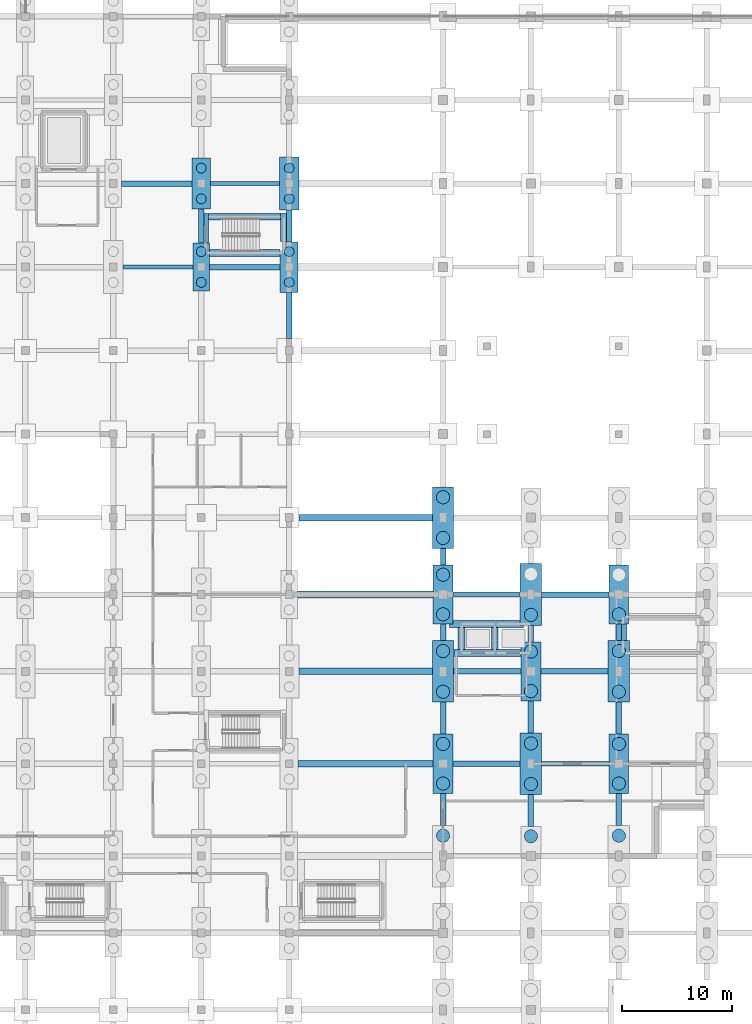
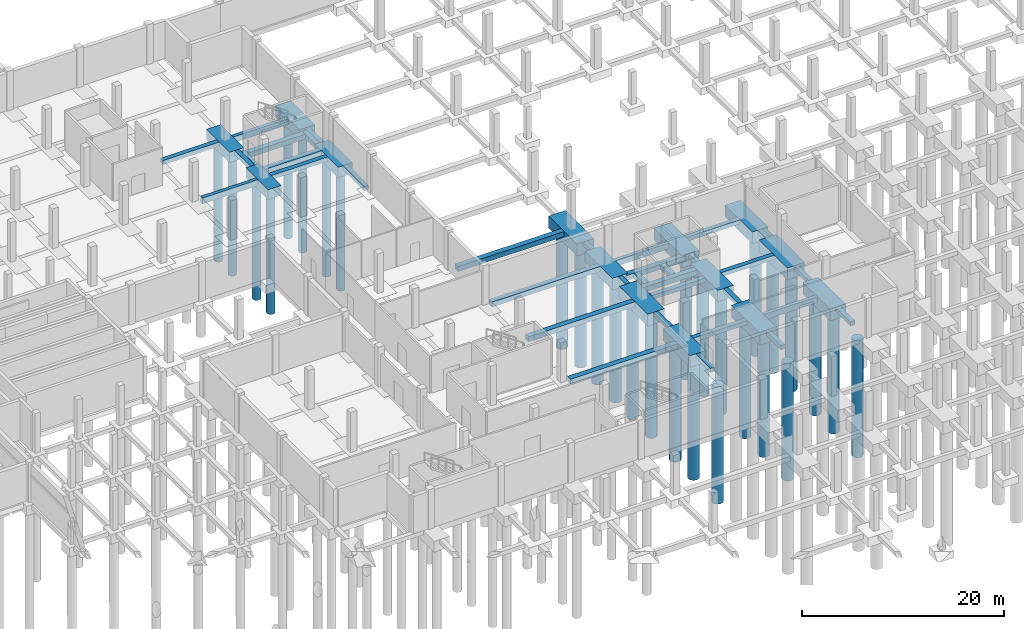
# One storey, part 14 of 50: 50 footings, 29 piles.
"""IFC4 building model written with IfcOpenShell, lengths in metres."""

from ifc_helpers import new_model, si_unit, direction, frame, origin, origin_2d, place, context, subcontext, project, spatial, polyline, rectangle, circle, outline, extrude, material, material_profile, profile_set, type_object, element, save


model = new_model("IFC4")

# Units and contexts
model_context = context("Model", 3, precision=1e-05, world=origin(), true_north=direction((0.0, 1.0)))
body_context = subcontext(model_context, "Body", "Model", "MODEL_VIEW")
ifc_project = project(units=[si_unit("LENGTHUNIT", "METRE"), si_unit("AREAUNIT", "SQUARE_METRE"), si_unit("VOLUMEUNIT", "CUBIC_METRE"), si_unit("PLANEANGLEUNIT", "RADIAN"), si_unit("MASSUNIT", "GRAM", prefix="KILO")], contexts=[model_context])

# Site, building, storey
site_placement = place(None, origin())
site = spatial("IfcSite", under=ifc_project, at=site_placement, CompositionType="ELEMENT")
building_placement = place(site_placement, origin())
building = spatial("IfcBuilding", under=site, at=building_placement, Name="Vekula Escarpment Museum", CompositionType="ELEMENT")
storey_placement = place(building_placement, frame((0.0, 0.0, -4.800048828125)))
storey = spatial("IfcBuildingStorey", under=building, at=storey_placement, Name="B1", CompositionType="ELEMENT", Elevation=-4.800048828125)

# Footings
ifc_material_1 = material(Name="Concrete C35/45", Category="concrete")
footing_type_1 = type_object("IfcFootingType", Name="FB-STRIP-600", PredefinedType="STRIP_FOOTING", material=ifc_material_1)
footing_1_placement = place(storey_placement, frame((0.0, 0.0, -0.599853515625)))
element("IfcFooting", 1, at=footing_1_placement, inside=storey, type_object=footing_type_1, Name="Stair Core Strip Footing ST-03 W", PredefinedType="STRIP_FOOTING", context=body_context, shape_type="SweptSolid", body=[
    extrude(outline(polyline([(48.675048828125, 118.0849609375), (48.675048828125, 115.404052734375), (48.25390625, 115.404052734375), (48.25390625, 118.0849609375), (48.675048828125, 118.0849609375)])), origin(), (0.0, 0.0, 1.0), 0.599853515625),
])
footing_2_placement = place(storey_placement, frame((0.0, 0.0, -0.599853515625)))
element("IfcFooting", 2, at=footing_2_placement, inside=storey, type_object=footing_type_1, Name="Stair Core Strip Footing ST-03 E", PredefinedType="STRIP_FOOTING", context=body_context, shape_type="SweptSolid", body=[
    extrude(outline(polyline([(55.22509765625, 118.0849609375), (55.74609375, 118.0849609375), (55.74609375, 115.50390625), (55.22509765625, 115.50390625), (55.22509765625, 118.0849609375)])), origin(), (0.0, 0.0, 1.0), 0.599853515625),
])
footing_3_placement = place(storey_placement, frame((0.0, 0.0, -0.599853515625)))
element("IfcFooting", 3, at=footing_3_placement, inside=storey, type_object=footing_type_1, Name="Stair Core Strip Footing ST-03 S", PredefinedType="STRIP_FOOTING", context=body_context, shape_type="SweptSolid", body=[
    extrude(outline(polyline([(48.75390625, 114.175048828125), (48.75390625, 114.77490234375), (55.1708984375, 114.77490234375), (55.1708984375, 114.175048828125), (48.75390625, 114.175048828125)])), origin(), (0.0, 0.0, 1.0), 0.599853515625),
])
footing_4_placement = place(storey_placement, frame((0.0, 0.0, -0.599853515625)))
element("IfcFooting", 4, at=footing_4_placement, inside=storey, type_object=footing_type_1, Name="Stair Core Strip Footing ST-03 N", PredefinedType="STRIP_FOOTING", context=body_context, shape_type="SweptSolid", body=[
    extrude(outline(polyline([(48.678955078125, 117.465087890625), (48.678955078125, 118.06494140625), (55.220947265625, 118.06494140625), (55.220947265625, 117.465087890625), (48.678955078125, 117.465087890625)])), origin(), (0.0, 0.0, 1.0), 0.599853515625),
])
footing_5_placement = place(storey_placement, frame((0.0, 0.0, -0.599853515625)))
element("IfcFooting", 5, at=footing_5_placement, inside=storey, type_object=footing_type_1, Name="Stair Core Strip Footing ST-09 W", PredefinedType="STRIP_FOOTING", context=body_context, shape_type="SweptSolid", body=[
    extrude(outline(polyline([(86.675048828125, 79.2041015625), (86.25390625, 79.2041015625), (86.25390625, 80.696044921875), (86.675048828125, 80.696044921875), (86.675048828125, 79.2041015625)])), origin(), (0.0, 0.0, 1.0), 0.599853515625),
])
footing_6_placement = place(storey_placement, frame((0.0, 0.0, -0.599853515625)))
element("IfcFooting", 6, at=footing_6_placement, inside=storey, type_object=footing_type_1, Name="Lift Shaft Strip Footing LP-01 S", PredefinedType="STRIP_FOOTING", context=body_context, shape_type="SweptSolid", body=[
    extrude(outline(polyline([(70.97900390625, 77.780029296875), (70.97900390625, 78.3798828125), (77.095947265625, 78.3798828125), (77.095947265625, 77.780029296875), (70.97900390625, 77.780029296875)])), origin(), (0.0, 0.0, 1.0), 0.599853515625),
])
footing_7_placement = place(storey_placement, frame((0.0, 0.0, -0.599853515625)))
element("IfcFooting", 7, at=footing_7_placement, inside=storey, type_object=footing_type_1, Name="Lift Shaft Strip Footing LP-01 N", PredefinedType="STRIP_FOOTING", context=body_context, shape_type="SweptSolid", body=[
    extrude(outline(polyline([(77.341064453125, 80.419921875), (70.583984375, 80.419921875), (70.583984375, 80.696044921875), (70.904052734375, 80.696044921875), (70.904052734375, 81.02001953125), (77.02099609375, 81.02001953125), (77.02099609375, 80.595947265625), (77.341064453125, 80.595947265625), (77.341064453125, 80.419921875)])), origin(), (0.0, 0.0, 1.0), 0.599853515625),
])
footing_8_placement = place(storey_placement, frame((0.0, 0.0, -0.599853515625)))
element("IfcFooting", 8, at=footing_8_placement, inside=storey, type_object=footing_type_1, Name="Lift Shaft Strip Footing LP-01 W", PredefinedType="STRIP_FOOTING", context=body_context, shape_type="SweptSolid", body=[
    extrude(outline(polyline([(71.97998046875, 78.384033203125), (71.3798828125, 78.384033203125), (71.3798828125, 80.416015625), (71.97998046875, 80.416015625), (71.97998046875, 78.384033203125)])), origin(), (0.0, 0.0, 1.0), 0.599853515625),
])
footing_9_placement = place(storey_placement, frame((0.0, 0.0, -0.599853515625)))
element("IfcFooting", 9, at=footing_9_placement, inside=storey, type_object=footing_type_1, Name="Lift Shaft Strip Footing LP-01 E", PredefinedType="STRIP_FOOTING", context=body_context, shape_type="SweptSolid", body=[
    extrude(outline(polyline([(75.02001953125, 78.384033203125), (74.419921875, 78.384033203125), (74.419921875, 80.416015625), (75.02001953125, 80.416015625), (75.02001953125, 78.384033203125)])), origin(), (0.0, 0.0, 1.0), 0.599853515625),
])
ifc_material_2 = material(Name="Concrete C35/45", Category="concrete")
ifc_material_profile_1 = material_profile(ifc_material_2, rectangle(XDim=0.39990234375, YDim=0.699951171875, at=origin_2d()), Name="RC 400x700")
ifc_profile_set_1 = profile_set([ifc_material_profile_1], Name="Concrete C35/45")
footing_type_2 = type_object("IfcFootingType", Name="FB-TIE-400x700", PredefinedType="FOOTING_BEAM", material=ifc_profile_set_1)
for number, where, z_axis, x_axis, name in (
    (10, (78.97509765625, 68.0, -0.349853515625), (1.0, 0.0, 0.0), (0.0, 1.0, 0.0), "Foundation Tie Beam 198"),
    (11, (70.89990234375, 83.39990234375, -0.349853515625), (1.0, 0.0, 0.0), (0.0, 1.0, 0.0), "Foundation Tie Beam 243"),
):
    element("IfcFooting", number, at=place(storey_placement, frame(where, z_axis=z_axis, x_axis=x_axis)), inside=storey, type_object=footing_type_2, Name=name, PredefinedType="FOOTING_BEAM", context=body_context, shape_type="SweptSolid", body=[
        extrude(rectangle(XDim=0.39990234375, YDim=0.699951171875, at=origin_2d()), origin(), (0.0, 0.0, 1.0), 6.125),
    ])
footing_10_placement = place(storey_placement, frame((40.875, 113.199951171875, -0.349853515625), z_axis=(1.0, 0.0, 0.0), x_axis=(0.0, 1.0, 0.0)))
element("IfcFooting", 12, at=footing_10_placement, inside=storey, type_object=footing_type_2, Name="Foundation Tie Beam 318", PredefinedType="FOOTING_BEAM", context=body_context, shape_type="SweptSolid", body=[
    extrude(rectangle(XDim=0.39990234375, YDim=0.699951171875, at=origin_2d()), origin(), (0.0, 0.0, 1.0), 6.375),
])
footing_11_placement = place(storey_placement, frame((48.824951171875, 120.800048828125, -0.349853515625), z_axis=(1.0, 0.0, 0.0), x_axis=(0.0, 1.0, 0.0)))
element("IfcFooting", 13, at=footing_11_placement, inside=storey, type_object=footing_type_2, Name="Foundation Tie Beam 342", PredefinedType="FOOTING_BEAM", context=body_context, shape_type="SweptSolid", body=[
    extrude(rectangle(XDim=0.39990234375, YDim=0.699951171875, at=origin_2d()), origin(), (0.0, 0.0, 1.0), 6.300048828125),
])
ifc_material_3 = material(Name="Concrete C35/45", Category="concrete")
ifc_material_profile_2 = material_profile(ifc_material_3, rectangle(XDim=0.5, YDim=0.5, at=origin_2d()), Name="RC 500x500")
ifc_profile_set_2 = profile_set([ifc_material_profile_2], Name="Concrete C35/45")
footing_type_3 = type_object("IfcFootingType", Name="FB-TIE-500x500", PredefinedType="FOOTING_BEAM", material=ifc_profile_set_2)
for number, where, z_axis, x_axis, name in (
    (14, (70.89990234375, 68.0, -0.25), (1.0, 0.0, 0.0), (0.0, 1.0, 0.0), "Foundation Tie Beam 197"),
    (15, (70.97509765625, 76.39990234375, -0.25), (1.0, 0.0, 0.0), (0.0, 1.0, 0.0), "Foundation Tie Beam 220"),
    (16, (78.89990234375, 76.39990234375, -0.25), (1.0, 0.0, 0.0), (0.0, 1.0, 0.0), "Foundation Tie Beam 221"),
    (17, (78.97509765625, 83.39990234375, -0.25), (1.0, 0.0, 0.0), (0.0, 1.0, 0.0), "Foundation Tie Beam 244"),
):
    element("IfcFooting", number, at=place(storey_placement, frame(where, z_axis=z_axis, x_axis=x_axis)), inside=storey, type_object=footing_type_3, Name=name, PredefinedType="FOOTING_BEAM", context=body_context, shape_type="SweptSolid", body=[
        extrude(rectangle(XDim=0.5, YDim=0.5, at=origin_2d()), origin(), (0.0, 0.0, 1.0), 6.125),
    ])
for number, where, z_axis, x_axis, name in (
    (18, (48.75, 113.199951171875, -0.25), (1.0, 0.0, 0.0), (0.0, 1.0, 0.0), "Foundation Tie Beam 319"),
    (19, (40.75, 120.800048828125, -0.25), (1.0, 0.0, 0.0), (0.0, 1.0, 0.0), "Foundation Tie Beam 341"),
):
    element("IfcFooting", number, at=place(storey_placement, frame(where, z_axis=z_axis, x_axis=x_axis)), inside=storey, type_object=footing_type_3, Name=name, PredefinedType="FOOTING_BEAM", context=body_context, shape_type="SweptSolid", body=[
        extrude(rectangle(XDim=0.5, YDim=0.5, at=origin_2d()), origin(), (0.0, 0.0, 1.0), 6.425048828125),
    ])
footing_12_placement = place(storey_placement, frame((48.0, 115.39990234375, -0.25), z_axis=(0.0, 1.0, 0.0), x_axis=(-1.0, 0.0, 0.0)))
element("IfcFooting", 20, at=footing_12_placement, inside=storey, type_object=footing_type_3, Name="Foundation Tie Beam 529", PredefinedType="FOOTING_BEAM", context=body_context, shape_type="SweptSolid", body=[
    extrude(rectangle(XDim=0.5, YDim=0.5, at=origin_2d()), origin(), (0.0, 0.0, 1.0), 3.10009765625),
])
footing_13_placement = place(storey_placement, frame((56.0, 106.699951171875, -0.25), z_axis=(0.0, 1.0, 0.0), x_axis=(-1.0, 0.0, 0.0)))
element("IfcFooting", 21, at=footing_13_placement, inside=storey, type_object=footing_type_3, Name="Foundation Tie Beam 546", PredefinedType="FOOTING_BEAM", context=body_context, shape_type="SweptSolid", body=[
    extrude(rectangle(XDim=0.5, YDim=0.5, at=origin_2d()), origin(), (0.0, 0.0, 1.0), 4.199951171875),
])
footing_14_placement = place(storey_placement, frame((56.0, 115.5, -0.25), z_axis=(0.0, 1.0, 0.0), x_axis=(-1.0, 0.0, 0.0)))
element("IfcFooting", 22, at=footing_14_placement, inside=storey, type_object=footing_type_3, Name="Foundation Tie Beam 547", PredefinedType="FOOTING_BEAM", context=body_context, shape_type="SweptSolid", body=[
    extrude(rectangle(XDim=0.5, YDim=0.5, at=origin_2d()), origin(), (0.0, 0.0, 1.0), 2.89990234375),
])
for number, where, z_axis, x_axis, name in (
    (23, (70.0, 62.39990234375, -0.25), (0.0, 1.0, 0.0), (-1.0, 0.0, 0.0), "Foundation Tie Beam 558"),
    (24, (70.0, 70.699951171875, -0.25), (0.0, 1.0, 0.0), (-1.0, 0.0, 0.0), "Foundation Tie Beam 559"),
):
    element("IfcFooting", number, at=place(storey_placement, frame(where, z_axis=z_axis, x_axis=x_axis)), inside=storey, type_object=footing_type_3, Name=name, PredefinedType="FOOTING_BEAM", context=body_context, shape_type="SweptSolid", body=[
        extrude(rectangle(XDim=0.5, YDim=0.5, at=origin_2d()), origin(), (0.0, 0.0, 1.0), 2.900146484375),
    ])
for number, where, z_axis, x_axis, name in (
    (25, (70.0, 79.199951171875, -0.25), (0.0, 1.0, 0.0), (-1.0, 0.0, 0.0), "Foundation Tie Beam 560"),
    (26, (70.0, 86.10009765625, -0.25), (0.0, 1.0, 0.0), (-1.0, 0.0, 0.0), "Foundation Tie Beam 561"),
):
    element("IfcFooting", number, at=place(storey_placement, frame(where, z_axis=z_axis, x_axis=x_axis)), inside=storey, type_object=footing_type_3, Name=name, PredefinedType="FOOTING_BEAM", context=body_context, shape_type="SweptSolid", body=[
        extrude(rectangle(XDim=0.5, YDim=0.5, at=origin_2d()), origin(), (0.0, 0.0, 1.0), 1.5),
    ])
for number, where, z_axis, x_axis, name in (
    (27, (78.0, 62.300048828125, -0.25), (0.0, 1.0, 0.0), (-1.0, 0.0, 0.0), "Foundation Tie Beam 573"),
    (28, (78.0, 70.800048828125, -0.25), (0.0, 1.0, 0.0), (-1.0, 0.0, 0.0), "Foundation Tie Beam 574"),
):
    element("IfcFooting", number, at=place(storey_placement, frame(where, z_axis=z_axis, x_axis=x_axis)), inside=storey, type_object=footing_type_3, Name=name, PredefinedType="FOOTING_BEAM", context=body_context, shape_type="SweptSolid", body=[
        extrude(rectangle(XDim=0.5, YDim=0.5, at=origin_2d()), origin(), (0.0, 0.0, 1.0), 2.89990234375),
    ])
footing_15_placement = place(storey_placement, frame((78.0, 79.10009765625, -0.25), z_axis=(0.0, 1.0, 0.0), x_axis=(-1.0, 0.0, 0.0)))
element("IfcFooting", 29, at=footing_15_placement, inside=storey, type_object=footing_type_3, Name="Foundation Tie Beam 575", PredefinedType="FOOTING_BEAM", context=body_context, shape_type="SweptSolid", body=[
    extrude(rectangle(XDim=0.5, YDim=0.5, at=origin_2d()), origin(), (0.0, 0.0, 1.0), 1.5),
])
for number, where, z_axis, x_axis, name in (
    (30, (86.0, 62.39990234375, -0.25), (0.0, 1.0, 0.0), (-1.0, 0.0, 0.0), "Foundation Tie Beam 585"),
    (31, (86.0, 70.699951171875, -0.25), (0.0, 1.0, 0.0), (-1.0, 0.0, 0.0), "Foundation Tie Beam 586"),
):
    element("IfcFooting", number, at=place(storey_placement, frame(where, z_axis=z_axis, x_axis=x_axis)), inside=storey, type_object=footing_type_3, Name=name, PredefinedType="FOOTING_BEAM", context=body_context, shape_type="SweptSolid", body=[
        extrude(rectangle(XDim=0.5, YDim=0.5, at=origin_2d()), origin(), (0.0, 0.0, 1.0), 2.900146484375),
    ])
footing_16_placement = place(storey_placement, frame((86.0, 79.199951171875, -0.25), z_axis=(0.0, 1.0, 0.0), x_axis=(-1.0, 0.0, 0.0)))
element("IfcFooting", 32, at=footing_16_placement, inside=storey, type_object=footing_type_3, Name="Foundation Tie Beam 587", PredefinedType="FOOTING_BEAM", context=body_context, shape_type="SweptSolid", body=[
    extrude(rectangle(XDim=0.5, YDim=0.5, at=origin_2d()), origin(), (0.0, 0.0, 1.0), 1.5),
])
ifc_material_4 = material(Name="Concrete C35/45", Category="concrete")
ifc_material_profile_3 = material_profile(ifc_material_4, rectangle(XDim=0.60009765625, YDim=0.60009765625, at=origin_2d()), Name="RC 600x600")
ifc_profile_set_3 = profile_set([ifc_material_profile_3], Name="Concrete C35/45")
footing_type_4 = type_object("IfcFootingType", Name="FB-TIE-600x600", PredefinedType="FOOTING_BEAM", material=ifc_profile_set_3)
footing_17_placement = place(storey_placement, frame((56.824951171875, 68.0, -0.300048828125), z_axis=(1.0, 0.0, 0.0), x_axis=(0.0, 1.0, 0.0)))
element("IfcFooting", 33, at=footing_17_placement, inside=storey, type_object=footing_type_4, Name="Foundation Tie Beam 196", PredefinedType="FOOTING_BEAM", context=body_context, shape_type="SweptSolid", body=[
    extrude(rectangle(XDim=0.60009765625, YDim=0.60009765625, at=origin_2d()), origin(), (0.0, 0.0, 1.0), 12.275146484375),
])
footing_18_placement = place(storey_placement, frame((56.875, 76.39990234375, -0.300048828125), z_axis=(1.0, 0.0, 0.0), x_axis=(0.0, 1.0, 0.0)))
element("IfcFooting", 34, at=footing_18_placement, inside=storey, type_object=footing_type_4, Name="Foundation Tie Beam 219", PredefinedType="FOOTING_BEAM", context=body_context, shape_type="SweptSolid", body=[
    extrude(rectangle(XDim=0.60009765625, YDim=0.60009765625, at=origin_2d()), origin(), (0.0, 0.0, 1.0), 12.14990234375),
])
footing_19_placement = place(storey_placement, frame((56.75, 83.39990234375, -0.300048828125), z_axis=(1.0, 0.0, 0.0), x_axis=(0.0, 1.0, 0.0)))
element("IfcFooting", 35, at=footing_19_placement, inside=storey, type_object=footing_type_4, Name="Foundation Tie Beam 242", PredefinedType="FOOTING_BEAM", context=body_context, shape_type="SweptSolid", body=[
    extrude(rectangle(XDim=0.60009765625, YDim=0.60009765625, at=origin_2d()), origin(), (0.0, 0.0, 1.0), 12.35009765625),
])
footing_20_placement = place(storey_placement, frame((56.89990234375, 90.39990234375, -0.300048828125), z_axis=(1.0, 0.0, 0.0), x_axis=(0.0, 1.0, 0.0)))
element("IfcFooting", 36, at=footing_20_placement, inside=storey, type_object=footing_type_4, Name="Foundation Tie Beam 261", PredefinedType="FOOTING_BEAM", context=body_context, shape_type="SweptSolid", body=[
    extrude(rectangle(XDim=0.60009765625, YDim=0.60009765625, at=origin_2d()), origin(), (0.0, 0.0, 1.0), 12.125),
])
ifc_material_5 = material(Name="Concrete C35/45", Category="concrete")
footing_type_5 = type_object("IfcFootingType", Name="FC-PC2Y-A", PredefinedType="PILE_CAP", material=ifc_material_5)
footing_21_placement = place(storey_placement, frame((0.0, 0.0, -1.199951171875)))
element("IfcFooting", 37, at=footing_21_placement, inside=storey, type_object=footing_type_5, Name="Foundation FC-PC2Y-A (48.0,113.2)", PredefinedType="PILE_CAP", context=body_context, shape_type="SweptSolid", body=[
    extrude(outline(polyline([(47.25, 111.0), (48.75, 111.0), (48.75, 115.39990234375), (47.25, 115.39990234375), (47.25, 111.0)])), origin(), (0.0, 0.0, 1.0), 1.199951171875),
])
ifc_material_6 = material(Name="Concrete C35/45", Category="concrete")
footing_type_6 = type_object("IfcFootingType", Name="FC-PC2Y-B", PredefinedType="PILE_CAP", material=ifc_material_6)
footing_22_placement = place(storey_placement, frame((0.0, 0.0, -1.25)))
element("IfcFooting", 38, at=footing_22_placement, inside=storey, type_object=footing_type_6, Name="Foundation FC-PC2Y-B (48.0,120.8)", PredefinedType="PILE_CAP", context=body_context, shape_type="SweptSolid", body=[
    extrude(outline(polyline([(47.175048828125, 118.5), (48.824951171875, 118.5), (48.824951171875, 123.10009765625), (47.175048828125, 123.10009765625), (47.175048828125, 118.5)])), origin(), (0.0, 0.0, 1.0), 1.25),
])
footing_23_placement = place(storey_placement, frame((0.0, 0.0, -1.25)))
element("IfcFooting", 39, at=footing_23_placement, inside=storey, type_object=footing_type_6, Name="Foundation FC-PC2Y-B (56.0,113.2)", PredefinedType="PILE_CAP", context=body_context, shape_type="SweptSolid", body=[
    extrude(outline(polyline([(55.175048828125, 110.89990234375), (56.824951171875, 110.89990234375), (56.824951171875, 115.5), (55.175048828125, 115.5), (55.175048828125, 110.89990234375)])), origin(), (0.0, 0.0, 1.0), 1.25),
])
ifc_material_7 = material(Name="Concrete C35/45", Category="concrete")
footing_type_7 = type_object("IfcFootingType", Name="FC-PC2Y-C", PredefinedType="PILE_CAP", material=ifc_material_7)
footing_24_placement = place(storey_placement, frame((0.0, 0.0, -1.300048828125)))
element("IfcFooting", 40, at=footing_24_placement, inside=storey, type_object=footing_type_7, Name="Foundation FC-PC2Y-C (56.0,120.8)", PredefinedType="PILE_CAP", context=body_context, shape_type="SweptSolid", body=[
    extrude(outline(polyline([(55.125, 118.39990234375), (56.875, 118.39990234375), (56.875, 123.199951171875), (55.125, 123.199951171875), (55.125, 118.39990234375)])), origin(), (0.0, 0.0, 1.0), 1.300048828125),
])
ifc_material_8 = material(Name="Concrete C35/45", Category="concrete")
footing_type_8 = type_object("IfcFootingType", Name="FC-PC2Y-HA", PredefinedType="PILE_CAP", material=ifc_material_8)
footing_25_placement = place(storey_placement, frame((0.0, 0.0, -1.39990234375)))
element("IfcFooting", 41, at=footing_25_placement, inside=storey, type_object=footing_type_8, Name="Foundation FC-PC2Y-HA (70.0,68.0)", PredefinedType="PILE_CAP", context=body_context, shape_type="SweptSolid", body=[
    extrude(outline(polyline([(69.10009765625, 65.300048828125), (70.89990234375, 65.300048828125), (70.89990234375, 70.699951171875), (69.10009765625, 70.699951171875), (69.10009765625, 65.300048828125)])), origin(), (0.0, 0.0, 1.0), 1.39990234375),
])
footing_26_placement = place(storey_placement, frame((0.0, 0.0, -1.39990234375)))
element("IfcFooting", 42, at=footing_26_placement, inside=storey, type_object=footing_type_8, Name="Foundation FC-PC2Y-HA (70.0,83.4)", PredefinedType="PILE_CAP", context=body_context, shape_type="SweptSolid", body=[
    extrude(outline(polyline([(69.10009765625, 80.699951171875), (70.89990234375, 80.699951171875), (70.89990234375, 86.10009765625), (69.10009765625, 86.10009765625), (69.10009765625, 80.699951171875)])), origin(), (0.0, 0.0, 1.0), 1.39990234375),
])
footing_27_placement = place(storey_placement, frame((0.0, 0.0, -1.39990234375)))
element("IfcFooting", 43, at=footing_27_placement, inside=storey, type_object=footing_type_8, Name="Foundation FC-PC2Y-HA (78.0,76.4)", PredefinedType="PILE_CAP", context=body_context, shape_type="SweptSolid", body=[
    extrude(outline(polyline([(77.10009765625, 73.699951171875), (78.89990234375, 73.699951171875), (78.89990234375, 79.10009765625), (77.10009765625, 79.10009765625), (77.10009765625, 73.699951171875)])), origin(), (0.0, 0.0, 1.0), 1.39990234375),
])
footing_28_placement = place(storey_placement, frame((0.0, 0.0, -1.39990234375)))
element("IfcFooting", 44, at=footing_28_placement, inside=storey, type_object=footing_type_8, Name="Foundation FC-PC2Y-HA (86.0,68.0)", PredefinedType="PILE_CAP", context=body_context, shape_type="SweptSolid", body=[
    extrude(outline(polyline([(85.10009765625, 65.300048828125), (86.89990234375, 65.300048828125), (86.89990234375, 70.699951171875), (85.10009765625, 70.699951171875), (85.10009765625, 65.300048828125)])), origin(), (0.0, 0.0, 1.0), 1.39990234375),
])
footing_29_placement = place(storey_placement, frame((0.0, 0.0, -1.39990234375)))
element("IfcFooting", 45, at=footing_29_placement, inside=storey, type_object=footing_type_8, Name="Foundation FC-PC2Y-HA (86.0,83.4)", PredefinedType="PILE_CAP", context=body_context, shape_type="SweptSolid", body=[
    extrude(outline(polyline([(85.10009765625, 80.699951171875), (86.89990234375, 80.699951171875), (86.89990234375, 86.10009765625), (85.10009765625, 86.10009765625), (85.10009765625, 80.699951171875)])), origin(), (0.0, 0.0, 1.0), 1.39990234375),
])
ifc_material_9 = material(Name="Concrete C35/45", Category="concrete")
footing_type_9 = type_object("IfcFootingType", Name="FC-PC2Y-HB", PredefinedType="PILE_CAP", material=ifc_material_9)
footing_30_placement = place(storey_placement, frame((0.0, 0.0, -1.449951171875)))
element("IfcFooting", 46, at=footing_30_placement, inside=storey, type_object=footing_type_9, Name="Foundation FC-PC2Y-HB (70.0,76.4)", PredefinedType="PILE_CAP", context=body_context, shape_type="SweptSolid", body=[
    extrude(outline(polyline([(69.02490234375, 73.60009765625), (70.97509765625, 73.60009765625), (70.97509765625, 79.199951171875), (69.02490234375, 79.199951171875), (69.02490234375, 73.60009765625)])), origin(), (0.0, 0.0, 1.0), 1.449951171875),
])
footing_31_placement = place(storey_placement, frame((0.0, 0.0, -1.449951171875)))
element("IfcFooting", 47, at=footing_31_placement, inside=storey, type_object=footing_type_9, Name="Foundation FC-PC2Y-HB (70.0,90.4)", PredefinedType="PILE_CAP", context=body_context, shape_type="SweptSolid", body=[
    extrude(outline(polyline([(69.02490234375, 87.60009765625), (70.97509765625, 87.60009765625), (70.97509765625, 93.199951171875), (69.02490234375, 93.199951171875), (69.02490234375, 87.60009765625)])), origin(), (0.0, 0.0, 1.0), 1.449951171875),
])
footing_32_placement = place(storey_placement, frame((0.0, 0.0, -1.449951171875)))
element("IfcFooting", 48, at=footing_32_placement, inside=storey, type_object=footing_type_9, Name="Foundation FC-PC2Y-HB (78.0,68.0)", PredefinedType="PILE_CAP", context=body_context, shape_type="SweptSolid", body=[
    extrude(outline(polyline([(77.02490234375, 65.199951171875), (78.97509765625, 65.199951171875), (78.97509765625, 70.800048828125), (77.02490234375, 70.800048828125), (77.02490234375, 65.199951171875)])), origin(), (0.0, 0.0, 1.0), 1.449951171875),
])
footing_33_placement = place(storey_placement, frame((0.0, 0.0, -1.449951171875)))
element("IfcFooting", 49, at=footing_33_placement, inside=storey, type_object=footing_type_9, Name="Foundation FC-PC2Y-HB (78.0,83.4)", PredefinedType="PILE_CAP", context=body_context, shape_type="SweptSolid", body=[
    extrude(outline(polyline([(77.02490234375, 80.60009765625), (78.97509765625, 80.60009765625), (78.97509765625, 86.199951171875), (77.02490234375, 86.199951171875), (77.02490234375, 80.60009765625)])), origin(), (0.0, 0.0, 1.0), 1.449951171875),
])
footing_34_placement = place(storey_placement, frame((0.0, 0.0, -1.449951171875)))
element("IfcFooting", 50, at=footing_34_placement, inside=storey, type_object=footing_type_9, Name="Foundation FC-PC2Y-HB (86.0,76.4)", PredefinedType="PILE_CAP", context=body_context, shape_type="SweptSolid", body=[
    extrude(outline(polyline([(85.02490234375, 73.60009765625), (86.97509765625, 73.60009765625), (86.97509765625, 79.199951171875), (85.02490234375, 79.199951171875), (85.02490234375, 73.60009765625)])), origin(), (0.0, 0.0, 1.0), 1.449951171875),
])

# Piles
ifc_material_10 = material(Name="Concrete C35/45", Category="concrete")
ifc_material_profile_4 = material_profile(ifc_material_10, circle(Radius=0.60009765625, at=origin_2d()), Name="BORED PILE 1200")
ifc_profile_set_4 = profile_set([ifc_material_profile_4], Name="Concrete C35/45")
pile_type_1 = type_object("IfcPileType", Name="PILE-B1200", PredefinedType="BORED", material=ifc_profile_set_4)
pile_1_placement = place(storey_placement, frame((70.0, 61.449951171875, -1.349853515625), z_axis=(0.0, 0.0, -1.0), x_axis=(1.0, 0.0, 0.0)))
element("IfcPile", 51, at=pile_1_placement, inside=storey, type_object=pile_type_1, Name="Bored Pile (70.0,61.5)", PredefinedType="BORED", context=body_context, shape_type="SweptSolid", body=[
    extrude(circle(Radius=0.60009765625, at=origin_2d()), origin(), (0.0, 0.0, 1.0), 14.14990234375),
])
for number, where, z_axis, x_axis, name in (
    (52, (70.0, 66.199951171875, -1.300048828125), (0.0, 0.0, -1.0), (1.0, 0.0, 0.0), "Bored Pile (70.0,66.2)"),
    (53, (70.0, 69.800048828125, -1.300048828125), (0.0, 0.0, -1.0), (1.0, 0.0, 0.0), "Bored Pile (70.0,69.8)"),
):
    element("IfcPile", number, at=place(storey_placement, frame(where, z_axis=z_axis, x_axis=x_axis)), inside=storey, type_object=pile_type_1, Name=name, PredefinedType="BORED", context=body_context, shape_type="SweptSolid", body=[
        extrude(circle(Radius=0.60009765625, at=origin_2d()), origin(), (0.0, 0.0, 1.0), 14.199951171875),
    ])
for number, where, z_axis, x_axis, name in (
    (54, (70.0, 74.550048828125, -1.349853515625), (0.0, 0.0, -1.0), (1.0, 0.0, 0.0), "Bored Pile (70.0,74.6)"),
    (55, (70.0, 78.25, -1.349853515625), (0.0, 0.0, -1.0), (1.0, 0.0, 0.0), "Bored Pile (70.0,78.2)"),
):
    element("IfcPile", number, at=place(storey_placement, frame(where, z_axis=z_axis, x_axis=x_axis)), inside=storey, type_object=pile_type_1, Name=name, PredefinedType="BORED", context=body_context, shape_type="SweptSolid", body=[
        extrude(circle(Radius=0.60009765625, at=origin_2d()), origin(), (0.0, 0.0, 1.0), 14.14990234375),
    ])
for number, where, z_axis, x_axis, name in (
    (56, (70.0, 81.60009765625, -1.300048828125), (0.0, 0.0, -1.0), (1.0, 0.0, 0.0), "Bored Pile (70.0,81.6)"),
    (57, (70.0, 85.199951171875, -1.300048828125), (0.0, 0.0, -1.0), (1.0, 0.0, 0.0), "Bored Pile (70.0,85.2)"),
):
    element("IfcPile", number, at=place(storey_placement, frame(where, z_axis=z_axis, x_axis=x_axis)), inside=storey, type_object=pile_type_1, Name=name, PredefinedType="BORED", context=body_context, shape_type="SweptSolid", body=[
        extrude(circle(Radius=0.60009765625, at=origin_2d()), origin(), (0.0, 0.0, 1.0), 14.199951171875),
    ])
for number, where, z_axis, x_axis, name in (
    (58, (70.0, 88.550048828125, -1.349853515625), (0.0, 0.0, -1.0), (1.0, 0.0, 0.0), "Bored Pile (70.0,88.6)"),
    (59, (70.0, 92.25, -1.349853515625), (0.0, 0.0, -1.0), (1.0, 0.0, 0.0), "Bored Pile (70.0,92.2)"),
):
    element("IfcPile", number, at=place(storey_placement, frame(where, z_axis=z_axis, x_axis=x_axis)), inside=storey, type_object=pile_type_1, Name=name, PredefinedType="BORED", context=body_context, shape_type="SweptSolid", body=[
        extrude(circle(Radius=0.60009765625, at=origin_2d()), origin(), (0.0, 0.0, 1.0), 14.14990234375),
    ])
pile_2_placement = place(storey_placement, frame((78.0, 61.39990234375, -1.300048828125), z_axis=(0.0, 0.0, -1.0), x_axis=(1.0, 0.0, 0.0)))
element("IfcPile", 60, at=pile_2_placement, inside=storey, type_object=pile_type_1, Name="Bored Pile (78.0,61.4)", PredefinedType="BORED", context=body_context, shape_type="SweptSolid", body=[
    extrude(circle(Radius=0.60009765625, at=origin_2d()), origin(), (0.0, 0.0, 1.0), 14.199951171875),
])
for number, where, z_axis, x_axis, name in (
    (61, (78.0, 66.14990234375, -1.349853515625), (0.0, 0.0, -1.0), (1.0, 0.0, 0.0), "Bored Pile (78.0,66.2)"),
    (62, (78.0, 69.85009765625, -1.349853515625), (0.0, 0.0, -1.0), (1.0, 0.0, 0.0), "Bored Pile (78.0,69.8)"),
):
    element("IfcPile", number, at=place(storey_placement, frame(where, z_axis=z_axis, x_axis=x_axis)), inside=storey, type_object=pile_type_1, Name=name, PredefinedType="BORED", context=body_context, shape_type="SweptSolid", body=[
        extrude(circle(Radius=0.60009765625, at=origin_2d()), origin(), (0.0, 0.0, 1.0), 14.14990234375),
    ])
for number, where, z_axis, x_axis, name in (
    (63, (78.0, 74.60009765625, -1.300048828125), (0.0, 0.0, -1.0), (1.0, 0.0, 0.0), "Bored Pile (78.0,74.6)"),
    (64, (78.0, 78.199951171875, -1.300048828125), (0.0, 0.0, -1.0), (1.0, 0.0, 0.0), "Bored Pile (78.0,78.2)"),
):
    element("IfcPile", number, at=place(storey_placement, frame(where, z_axis=z_axis, x_axis=x_axis)), inside=storey, type_object=pile_type_1, Name=name, PredefinedType="BORED", context=body_context, shape_type="SweptSolid", body=[
        extrude(circle(Radius=0.60009765625, at=origin_2d()), origin(), (0.0, 0.0, 1.0), 14.199951171875),
    ])
for number, where, z_axis, x_axis, name in (
    (65, (78.0, 81.550048828125, -1.349853515625), (0.0, 0.0, -1.0), (1.0, 0.0, 0.0), "Bored Pile (78.0,81.6)"),
    (66, (86.0, 61.449951171875, -1.349853515625), (0.0, 0.0, -1.0), (1.0, 0.0, 0.0), "Bored Pile (86.0,61.5)"),
):
    element("IfcPile", number, at=place(storey_placement, frame(where, z_axis=z_axis, x_axis=x_axis)), inside=storey, type_object=pile_type_1, Name=name, PredefinedType="BORED", context=body_context, shape_type="SweptSolid", body=[
        extrude(circle(Radius=0.60009765625, at=origin_2d()), origin(), (0.0, 0.0, 1.0), 14.14990234375),
    ])
for number, where, z_axis, x_axis, name in (
    (67, (86.0, 66.199951171875, -1.300048828125), (0.0, 0.0, -1.0), (1.0, 0.0, 0.0), "Bored Pile (86.0,66.2)"),
    (68, (86.0, 69.800048828125, -1.300048828125), (0.0, 0.0, -1.0), (1.0, 0.0, 0.0), "Bored Pile (86.0,69.8)"),
):
    element("IfcPile", number, at=place(storey_placement, frame(where, z_axis=z_axis, x_axis=x_axis)), inside=storey, type_object=pile_type_1, Name=name, PredefinedType="BORED", context=body_context, shape_type="SweptSolid", body=[
        extrude(circle(Radius=0.60009765625, at=origin_2d()), origin(), (0.0, 0.0, 1.0), 14.199951171875),
    ])
for number, where, z_axis, x_axis, name in (
    (69, (86.0, 74.550048828125, -1.349853515625), (0.0, 0.0, -1.0), (1.0, 0.0, 0.0), "Bored Pile (86.0,74.6)"),
    (70, (86.0, 78.25, -1.349853515625), (0.0, 0.0, -1.0), (1.0, 0.0, 0.0), "Bored Pile (86.0,78.2)"),
):
    element("IfcPile", number, at=place(storey_placement, frame(where, z_axis=z_axis, x_axis=x_axis)), inside=storey, type_object=pile_type_1, Name=name, PredefinedType="BORED", context=body_context, shape_type="SweptSolid", body=[
        extrude(circle(Radius=0.60009765625, at=origin_2d()), origin(), (0.0, 0.0, 1.0), 14.14990234375),
    ])
pile_3_placement = place(storey_placement, frame((86.0, 81.60009765625, -1.300048828125), z_axis=(0.0, 0.0, -1.0), x_axis=(1.0, 0.0, 0.0)))
element("IfcPile", 71, at=pile_3_placement, inside=storey, type_object=pile_type_1, Name="Bored Pile (86.0,81.6)", PredefinedType="BORED", context=body_context, shape_type="SweptSolid", body=[
    extrude(circle(Radius=0.60009765625, at=origin_2d()), origin(), (0.0, 0.0, 1.0), 14.199951171875),
])
ifc_material_11 = material(Name="Concrete C35/45", Category="concrete")
ifc_material_profile_5 = material_profile(ifc_material_11, circle(Radius=0.449951171875, at=origin_2d()), Name="BORED PILE 900")
ifc_profile_set_5 = profile_set([ifc_material_profile_5], Name="Concrete C35/45")
pile_type_2 = type_object("IfcPileType", Name="PILE-B900", PredefinedType="BORED", material=ifc_profile_set_5)
for number, where, z_axis, x_axis, name in (
    (72, (48.0, 111.800048828125, -1.099853515625), (0.0, 0.0, -1.0), (1.0, 0.0, 0.0), "Bored Pile (48.0,111.8)"),
    (73, (48.0, 114.60009765625, -1.099853515625), (0.0, 0.0, -1.0), (1.0, 0.0, 0.0), "Bored Pile (48.0,114.6)"),
):
    element("IfcPile", number, at=place(storey_placement, frame(where, z_axis=z_axis, x_axis=x_axis)), inside=storey, type_object=pile_type_2, Name=name, PredefinedType="BORED", context=body_context, shape_type="SweptSolid", body=[
        extrude(circle(Radius=0.449951171875, at=origin_2d()), origin(), (0.0, 0.0, 1.0), 14.39990234375),
    ])
for number, where, z_axis, x_axis, name in (
    (74, (48.0, 119.39990234375, -1.14990234375), (0.0, 0.0, -1.0), (1.0, 0.0, 0.0), "Bored Pile (48.0,119.4)"),
    (75, (48.0, 122.199951171875, -1.14990234375), (0.0, 0.0, -1.0), (1.0, 0.0, 0.0), "Bored Pile (48.0,122.2)"),
    (76, (56.0, 111.800048828125, -1.14990234375), (0.0, 0.0, -1.0), (1.0, 0.0, 0.0), "Bored Pile (56.0,111.8)"),
    (77, (56.0, 114.60009765625, -1.14990234375), (0.0, 0.0, -1.0), (1.0, 0.0, 0.0), "Bored Pile (56.0,114.6)"),
):
    element("IfcPile", number, at=place(storey_placement, frame(where, z_axis=z_axis, x_axis=x_axis)), inside=storey, type_object=pile_type_2, Name=name, PredefinedType="BORED", context=body_context, shape_type="SweptSolid", body=[
        extrude(circle(Radius=0.449951171875, at=origin_2d()), origin(), (0.0, 0.0, 1.0), 14.35009765625),
    ])
for number, where, z_axis, x_axis, name in (
    (78, (56.0, 119.39990234375, -1.199951171875), (0.0, 0.0, -1.0), (1.0, 0.0, 0.0), "Bored Pile (56.0,119.4)"),
    (79, (56.0, 122.199951171875, -1.199951171875), (0.0, 0.0, -1.0), (1.0, 0.0, 0.0), "Bored Pile (56.0,122.2)"),
):
    element("IfcPile", number, at=place(storey_placement, frame(where, z_axis=z_axis, x_axis=x_axis)), inside=storey, type_object=pile_type_2, Name=name, PredefinedType="BORED", context=body_context, shape_type="SweptSolid", body=[
        extrude(circle(Radius=0.449951171875, at=origin_2d()), origin(), (0.0, 0.0, 1.0), 14.300048828125),
    ])

save(model, "model.ifc")
